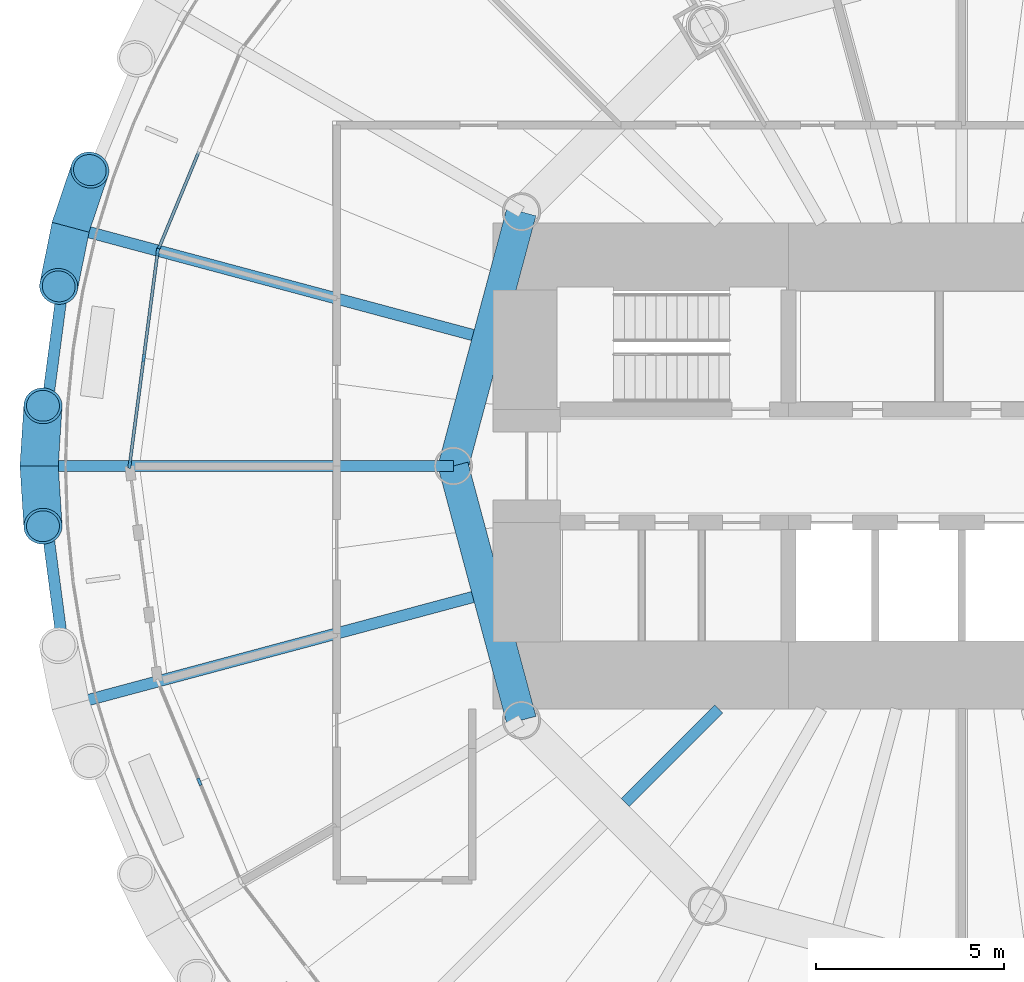
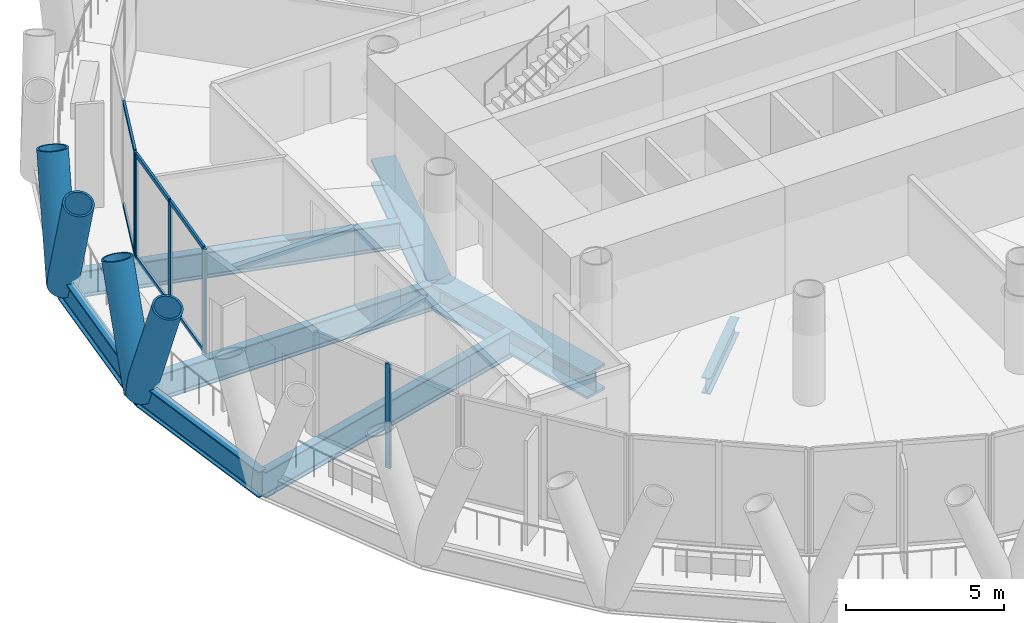
# One storey, part 3 of 15: 15 members, 8 beams, 3 elements without a shape of their own.
"""IFC4 building model written with IfcOpenShell, lengths in metres."""

from ifc_helpers import new_model, si_unit, direction, frame, origin, origin_2d, place, context, subcontext, project, spatial, rectangle, hollow_circle, i_section, extrude, material, material_profile, profile_set, type_object, element, aggregate, save


model = new_model("IFC4")

# Units and contexts
model_context = context("Model", 3, precision=1e-05, world=origin(), true_north=direction((0.0, 1.0)))
body_context = subcontext(model_context, "Body", "Model", "MODEL_VIEW")
ifc_project = project(units=[si_unit("LENGTHUNIT", "METRE"), si_unit("AREAUNIT", "SQUARE_METRE"), si_unit("VOLUMEUNIT", "CUBIC_METRE"), si_unit("PLANEANGLEUNIT", "RADIAN"), si_unit("MASSUNIT", "GRAM", prefix="KILO")], contexts=[model_context])

# Site, building, storey
site_placement = place(None, origin())
site = spatial("IfcSite", under=ifc_project, at=site_placement, CompositionType="ELEMENT")
building_placement = place(site_placement, origin())
building = spatial("IfcBuilding", under=site, at=building_placement, Name="Qaws Media Tower", CompositionType="ELEMENT")
storey_placement = place(building_placement, frame((0.0, 0.0, 177.199951171875)))
storey = spatial("IfcBuildingStorey", under=building, at=storey_placement, Name="L40", CompositionType="ELEMENT", Elevation=177.199951171875)

# Curtain wall, member
ifc_material_1 = material(Name="Aluminium and clear glass", Category="aluminium")
curtain_wall_type = type_object("IfcCurtainWallType", Name="Unitised curtain wall CW-B", PredefinedType="NOTDEFINED", material=ifc_material_1)
curtain_wall_1_placement = place(storey_placement, origin())
curtain_wall_1 = element("IfcCurtainWall", 1, at=curtain_wall_1_placement, inside=storey, type_object=curtain_wall_type, Name="CWB curtain wall L40-11", PredefinedType="NOTDEFINED")
ifc_material_2 = material(Name="Aluminium mullion", Category="aluminium")
ifc_material_profile_1 = material_profile(ifc_material_2, rectangle(XDim=0.080078125, YDim=0.199951171875, at=origin_2d()), Name="80x200")
ifc_profile_set_1 = profile_set([ifc_material_profile_1], Name="Aluminium mullion")
member_type_1 = type_object("IfcMemberType", Name="Curtain wall mullion 80x200", PredefinedType="MULLION", material=ifc_profile_set_1)
member_1_placement = place(storey_placement, frame((38.66845703125, 55.7568359375, 0.0), z_axis=(0.0, 0.0, 1.0), x_axis=(0.923879489284, -0.382683536724, 0.0)))
member_1 = element("IfcMember", 2, at=member_1_placement, type_object=member_type_1, Name="CWB mullion 3", PredefinedType="MULLION", context=body_context, shape_type="SweptSolid", body=[
    extrude(rectangle(XDim=0.080078125, YDim=0.199951171875, at=origin_2d()), origin(), (0.0, 0.0, 1.0), 4.0400390625),
])

# Curtain wall, members
curtain_wall_2_placement = place(storey_placement, origin())
curtain_wall_2 = element("IfcCurtainWall", 3, at=curtain_wall_2_placement, inside=storey, type_object=curtain_wall_type, Name="CWB curtain wall L40-12", PredefinedType="NOTDEFINED")
member_2_placement = place(storey_placement, frame((38.647705078125, 55.68017578125, 0.0), z_axis=(0.0, 0.0, 1.0), x_axis=(0.991444867039, -0.130526149185, 0.0)))
member_2 = element("IfcMember", 4, at=member_2_placement, type_object=member_type_1, Name="CWB mullion 1", PredefinedType="MULLION", context=body_context, shape_type="SweptSolid", body=[
    extrude(rectangle(XDim=0.080078125, YDim=0.199951171875, at=origin_2d()), origin(), (0.0, 0.0, 1.0), 4.0400390625),
])
member_3_placement = place(storey_placement, frame((38.276611328125, 52.85986328125, 0.0), z_axis=(0.0, 0.0, 1.0), x_axis=(0.991444867039, -0.130526149185, 0.0)))
member_3 = element("IfcMember", 5, at=member_3_placement, type_object=member_type_1, Name="CWB mullion 2", PredefinedType="MULLION", context=body_context, shape_type="SweptSolid", body=[
    extrude(rectangle(XDim=0.080078125, YDim=0.199951171875, at=origin_2d()), origin(), (0.0, 0.0, 1.0), 4.0400390625),
])
member_4_placement = place(storey_placement, frame((37.9052734375, 50.03955078125, 0.0), z_axis=(0.0, 0.0, 1.0), x_axis=(0.991444867039, -0.130526149185, 0.0)))
member_4 = element("IfcMember", 6, at=member_4_placement, type_object=member_type_1, Name="CWB mullion 3", PredefinedType="MULLION", context=body_context, shape_type="SweptSolid", body=[
    extrude(rectangle(XDim=0.080078125, YDim=0.199951171875, at=origin_2d()), origin(), (0.0, 0.0, 1.0), 4.0400390625),
])

# Curtain wall, member
curtain_wall_3_placement = place(storey_placement, origin())
curtain_wall_3 = element("IfcCurtainWall", 7, at=curtain_wall_3_placement, inside=storey, type_object=curtain_wall_type, Name="CWB curtain wall L40-14", PredefinedType="NOTDEFINED")
member_5_placement = place(storey_placement, frame((39.7568359375, 41.614990234375, 0.0), z_axis=(0.0, 0.0, 1.0), x_axis=(0.923879489284, 0.382683536724, 0.0)))
member_5 = element("IfcMember", 8, at=member_5_placement, type_object=member_type_1, Name="CWB mullion 2", PredefinedType="MULLION", context=body_context, shape_type="SweptSolid", body=[
    extrude(rectangle(XDim=0.080078125, YDim=0.199951171875, at=origin_2d()), origin(), (0.0, 0.0, 1.0), 4.0400390625),
])
aggregate(curtain_wall_3, [member_5])

# Member
ifc_material_3 = material(Name="Aluminium transom", Category="aluminium")
ifc_material_profile_2 = material_profile(ifc_material_3, rectangle(XDim=0.080078125, YDim=0.159912109375, at=origin_2d()), Name="80x160")
ifc_profile_set_2 = profile_set([ifc_material_profile_2], Name="Aluminium transom")
member_type_2 = type_object("IfcMemberType", Name="Curtain wall transom 80x160", PredefinedType="USERDEFINED", material=ifc_profile_set_2)
member_6_placement = place(storey_placement, frame((39.74169921875, 58.347900390625, 0.0400390625), z_axis=(-0.382720946689, -0.923863992677, 0.0), x_axis=(0.923863992677, -0.382720946689, 0.0)))
member_6 = element("IfcMember", 9, at=member_6_placement, type_object=member_type_2, Name="CWB transom 2.1", ObjectType="TRANSOM", PredefinedType="USERDEFINED", context=body_context, shape_type="SweptSolid", body=[
    extrude(rectangle(XDim=0.080078125, YDim=0.159912109375, at=origin_2d()), origin(), (0.0, 0.0, 1.0), 2.7646484375),
])

member_7_placement = place(storey_placement, frame((39.74169921875, 58.347900390625, 4.0), z_axis=(-0.382720946689, -0.923863992677, 0.0), x_axis=(0.923863992677, -0.382720946689, 0.0)))
member_7 = element("IfcMember", 10, at=member_7_placement, type_object=member_type_2, Name="CWB transom 2.2", ObjectType="TRANSOM", PredefinedType="USERDEFINED", context=body_context, shape_type="SweptSolid", body=[
    extrude(rectangle(XDim=0.080078125, YDim=0.159912109375, at=origin_2d()), origin(), (0.0, 0.0, 1.0), 2.7646484375),
])

aggregate(curtain_wall_1, [member_1, member_6, member_7])

member_8_placement = place(storey_placement, frame((38.642578125, 55.640625, 0.0400390625), z_axis=(-0.130520759088, -0.991445576644, 0.0), x_axis=(0.991445576644, -0.130520759088, 0.0)))
member_8 = element("IfcMember", 11, at=member_8_placement, type_object=member_type_2, Name="CWB transom 1.1", ObjectType="TRANSOM", PredefinedType="USERDEFINED", context=body_context, shape_type="SweptSolid", body=[
    extrude(rectangle(XDim=0.080078125, YDim=0.159912109375, at=origin_2d()), origin(), (0.0, 0.0, 1.0), 2.7646484375),
])

member_9_placement = place(storey_placement, frame((38.642578125, 55.640625, 4.0), z_axis=(-0.130520759088, -0.991445576644, 0.0), x_axis=(0.991445576644, -0.130520759088, 0.0)))
member_9 = element("IfcMember", 12, at=member_9_placement, type_object=member_type_2, Name="CWB transom 1.2", ObjectType="TRANSOM", PredefinedType="USERDEFINED", context=body_context, shape_type="SweptSolid", body=[
    extrude(rectangle(XDim=0.080078125, YDim=0.159912109375, at=origin_2d()), origin(), (0.0, 0.0, 1.0), 2.7646484375),
])

member_10_placement = place(storey_placement, frame((38.271240234375, 52.8203125, 0.0400390625), z_axis=(-0.130520759088, -0.991445576644, 0.0), x_axis=(0.991445576644, -0.130520759088, 0.0)))
member_10 = element("IfcMember", 13, at=member_10_placement, type_object=member_type_2, Name="CWB transom 2.1", ObjectType="TRANSOM", PredefinedType="USERDEFINED", context=body_context, shape_type="SweptSolid", body=[
    extrude(rectangle(XDim=0.080078125, YDim=0.159912109375, at=origin_2d()), origin(), (0.0, 0.0, 1.0), 2.7646484375),
])

member_11_placement = place(storey_placement, frame((38.271240234375, 52.8203125, 4.0), z_axis=(-0.130520759088, -0.991445576644, 0.0), x_axis=(0.991445576644, -0.130520759088, 0.0)))
member_11 = element("IfcMember", 14, at=member_11_placement, type_object=member_type_2, Name="CWB transom 2.2", ObjectType="TRANSOM", PredefinedType="USERDEFINED", context=body_context, shape_type="SweptSolid", body=[
    extrude(rectangle(XDim=0.080078125, YDim=0.159912109375, at=origin_2d()), origin(), (0.0, 0.0, 1.0), 2.7646484375),
])

aggregate(curtain_wall_2, [member_2, member_3, member_4, member_8, member_9, member_10, member_11])

# Members
ifc_material_4 = material(Name="Steel S460", Category="steel")
ifc_material_profile_3 = material_profile(ifc_material_4, hollow_circle(Radius=0.508056640625, WallThickness=0.070068359375, at=origin_2d()), Name="CHS 1016x70")
ifc_profile_set_3 = profile_set([ifc_material_profile_3], Name="Steel S460")
member_type_3 = type_object("IfcMemberType", Name="Diagrid member CHS 1016x70", PredefinedType="USERDEFINED", material=ifc_profile_set_3)
for number, where, z_axis, x_axis, name in (
    (15, (36.334716796875, 56.341064453125, -0.6640625), (-0.070057919061, -0.349474968341, 0.934322821342), (0.98049267216, -0.196555640573, 0.0), "DG3 diagrid L40 A12"),
    (16, (36.334716796875, 56.341064453125, -0.6640625), (0.114101343313, 0.33768784042, 0.93431675886), (-0.947380274434, 0.320110317881, 0.0), "DG3 diagrid L40 B12"),
    (17, (35.5, 50.0, -0.6640625), (0.022755087653, -0.355717957348, 0.934316295912), (0.997960211853, 0.063838981491, 0.0), "DG3 diagrid L40 A13"),
    (18, (35.5, 50.0, -0.6640625), (0.022755087653, 0.355717957348, 0.934316295912), (-0.997960211853, 0.063838981491, 0.0), "DG3 diagrid L40 B13"),
):
    element("IfcMember", number, at=place(storey_placement, frame(where, z_axis=z_axis, x_axis=x_axis)), inside=storey, type_object=member_type_3, Name=name, ObjectType="DIAGRID", PredefinedType="USERDEFINED", context=body_context, shape_type="SweptSolid", body=[
        extrude(hollow_circle(Radius=0.508056640625, WallThickness=0.070068359375, at=origin_2d()), origin(), (0.0, 0.0, 1.0), 4.495361328125),
    ])

# Beams
ifc_material_5 = material(Name="Steel S460", Category="steel")
ifc_material_profile_4 = material_profile(ifc_material_5, i_section(OverallWidth=0.302001953125, OverallDepth=1.008056640625, WebThickness=0.02099609375, FlangeThickness=0.0400390625, FilletRadius=0.030029296875, at=origin_2d()), Name="HE 1000 M")
ifc_profile_set_4 = profile_set([ifc_material_profile_4], Name="Steel S460")
beam_type_1 = type_object("IfcBeamType", Name="Edge ring beam HE 1000 M", PredefinedType="BEAM", material=ifc_profile_set_4)
for number, where, z_axis, x_axis, name in (
    (19, (36.334716796875, 56.341064453125, -0.6640625), (-0.130510796237, -0.991446888172, 0.0), (0.991446888172, -0.130510796237, 0.0), "RB3 edge ring beam L40-12"),
    (20, (35.5, 50.0, -0.6640625), (0.130510796237, -0.991446888172, 0.0), (0.991446888172, 0.130510796237, 0.0), "RB3 edge ring beam L40-13"),
):
    element("IfcBeam", number, at=place(storey_placement, frame(where, z_axis=z_axis, x_axis=x_axis)), inside=storey, type_object=beam_type_1, Name=name, PredefinedType="BEAM", context=body_context, shape_type="SweptSolid", body=[
        extrude(i_section(OverallWidth=0.302001953125, OverallDepth=1.008056640625, WebThickness=0.02099609375, FlangeThickness=0.0400390625, FilletRadius=0.030029296875, at=origin_2d()), origin(), (0.0, 0.0, 1.0), 6.395751953125),
    ])
ifc_material_6 = material(Name="Steel S460", Category="steel")
ifc_material_profile_5 = material_profile(ifc_material_6, i_section(OverallWidth=0.800048828125, OverallDepth=1.0, WebThickness=0.0400390625, FlangeThickness=0.10009765625, at=origin_2d()), Name="PG 1000x800")
ifc_profile_set_5 = profile_set([ifc_material_profile_5], Name="Steel S460")
beam_type_2 = type_object("IfcBeamType", Name="Inner ring girder PG 1000x800", PredefinedType="BEAM", material=ifc_profile_set_5)
for number, where, z_axis, x_axis, name in (
    (21, (48.30859375, 56.75, -0.659912109375), (-0.258810593767, -0.965928090778, 0.0), (0.965928090778, -0.258810593767, 0.0), "B3 inner ring beam L40 I06-I07"),
    (22, (46.5, 50.0, -0.659912109375), (0.258810593767, -0.965928090778, 0.0), (0.965928090778, 0.258810593767, 0.0), "B3 inner ring beam L40 I07-I08"),
):
    element("IfcBeam", number, at=place(storey_placement, frame(where, z_axis=z_axis, x_axis=x_axis)), inside=storey, type_object=beam_type_2, Name=name, PredefinedType="BEAM", context=body_context, shape_type="SweptSolid", body=[
        extrude(i_section(OverallWidth=0.800048828125, OverallDepth=1.0, WebThickness=0.0400390625, FlangeThickness=0.10009765625, at=origin_2d()), origin(), (0.0, 0.0, 1.0), 6.988037109375),
    ])
ifc_material_7 = material(Name="Steel S355", Category="steel")
ifc_material_profile_6 = material_profile(ifc_material_7, i_section(OverallWidth=0.302001953125, OverallDepth=1.008056640625, WebThickness=0.02099609375, FlangeThickness=0.0400390625, FilletRadius=0.030029296875, at=origin_2d()), Name="HE 1000 M")
ifc_profile_set_6 = profile_set([ifc_material_profile_6], Name="Steel S355")
beam_type_3 = type_object("IfcBeamType", Name="Radial beam HE 1000 M", PredefinedType="BEAM", material=ifc_profile_set_6)
beam_1_placement = place(storey_placement, frame((47.01806640625, 53.478515625, -0.6640625), z_axis=(-0.965926867676, 0.258815158562, 0.0), x_axis=(-0.258815158562, -0.965926867676, 0.0)))
element("IfcBeam", 23, at=beam_1_placement, inside=storey, type_object=beam_type_3, Name="B1 radial beam L40 12", PredefinedType="BEAM", context=body_context, shape_type="SweptSolid", body=[
    extrude(i_section(OverallWidth=0.302001953125, OverallDepth=1.008056640625, WebThickness=0.02099609375, FlangeThickness=0.0400390625, FilletRadius=0.030029296875, at=origin_2d()), origin(), (0.0, 0.0, 1.0), 11.060302734375),
])
beam_2_placement = place(storey_placement, frame((46.5, 50.0, -0.6640625), z_axis=(-1.0, 0.0, 0.0), x_axis=(0.0, -1.0, 0.0)))
element("IfcBeam", 24, at=beam_2_placement, inside=storey, type_object=beam_type_3, Name="B1 radial beam L40 13", PredefinedType="BEAM", context=body_context, shape_type="SweptSolid", body=[
    extrude(i_section(OverallWidth=0.302001953125, OverallDepth=1.008056640625, WebThickness=0.02099609375, FlangeThickness=0.0400390625, FilletRadius=0.030029296875, at=origin_2d()), origin(), (0.0, 0.0, 1.0), 11.0),
])
beam_3_placement = place(storey_placement, frame((47.01806640625, 46.521484375, -0.6640625), z_axis=(-0.965926867676, -0.258815158562, 0.0), x_axis=(0.258815158562, -0.965926867676, 0.0)))
element("IfcBeam", 25, at=beam_3_placement, inside=storey, type_object=beam_type_3, Name="B1 radial beam L40 14", PredefinedType="BEAM", context=body_context, shape_type="SweptSolid", body=[
    extrude(i_section(OverallWidth=0.302001953125, OverallDepth=1.008056640625, WebThickness=0.02099609375, FlangeThickness=0.0400390625, FilletRadius=0.030029296875, at=origin_2d()), origin(), (0.0, 0.0, 1.0), 11.060302734375),
])
ifc_material_8 = material(Name="Steel S355", Category="steel")
ifc_material_profile_7 = material_profile(ifc_material_8, i_section(OverallWidth=0.304931640625, OverallDepth=0.6201171875, WebThickness=0.02099609375, FlangeThickness=0.0400390625, FilletRadius=0.027099609375, at=origin_2d()), Name="HE 600 M")
ifc_profile_set_7 = profile_set([ifc_material_profile_7], Name="Steel S355")
beam_type_4 = type_object("IfcBeamType", Name="Radial beam HE 600 M, core side", PredefinedType="BEAM", material=ifc_profile_set_7)
beam_4_placement = place(storey_placement, frame((53.550048828125, 43.550048828125, -0.469970703125), z_axis=(-0.707106781187, -0.707106781187, 0.0), x_axis=(0.707106781187, -0.707106781187, 0.0)))
element("IfcBeam", 26, at=beam_4_placement, inside=storey, type_object=beam_type_4, Name="B2 radial beam L40 16", PredefinedType="BEAM", context=body_context, shape_type="SweptSolid", body=[
    extrude(i_section(OverallWidth=0.304931640625, OverallDepth=0.6201171875, WebThickness=0.02099609375, FlangeThickness=0.0400390625, FilletRadius=0.027099609375, at=origin_2d()), origin(), (0.0, 0.0, 1.0), 3.518310546875),
])

save(model, "model.ifc")
